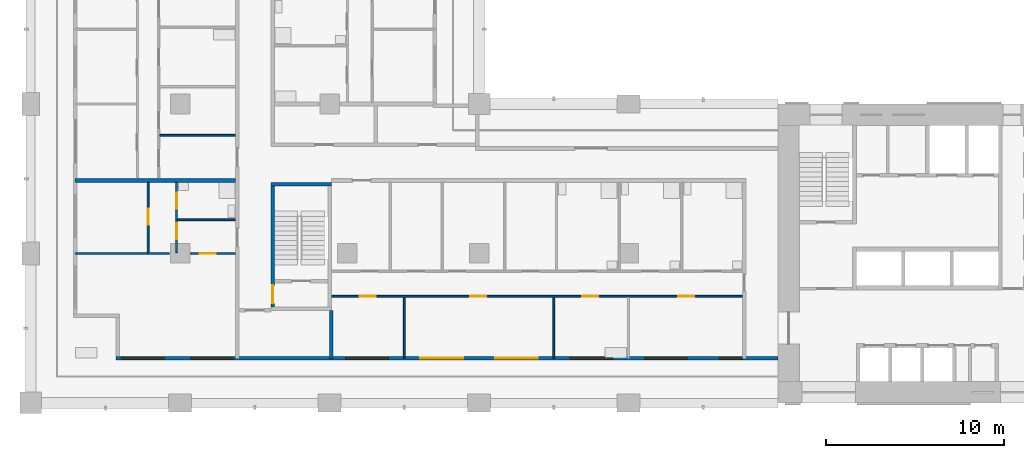
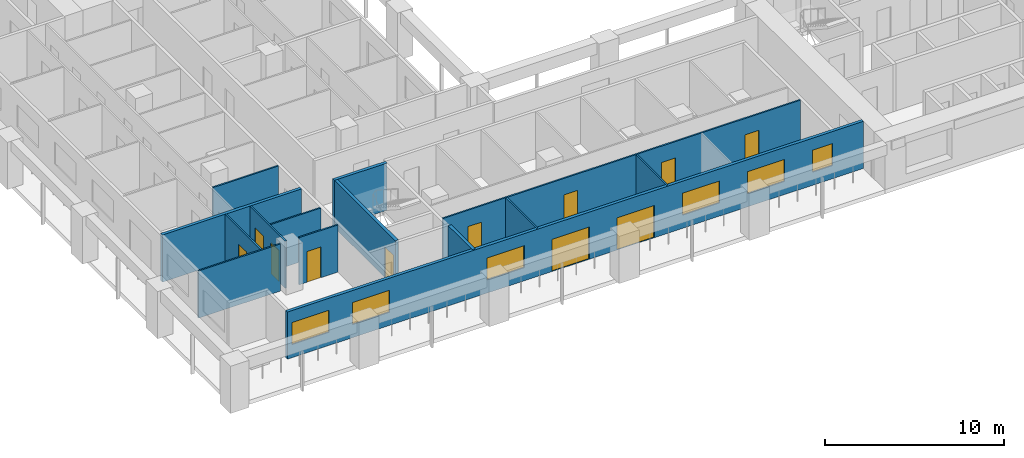
# One storey, part 2 of 17: 14 walls, 11 doors, 6 windows, 17 openings.
"""IFC4 building model written with IfcOpenShell, lengths in metres."""

from ifc_helpers import new_model, si_unit, direction, frame, frame_2d, origin, place, context, subcontext, project, spatial, rectangle, extrude, material, layer, layer_set, type_object, element, fill, save


model = new_model("IFC4")

# Units and contexts
model_context = context("Model", 3, precision=1e-05, world=origin(), true_north=direction((0.0, 1.0)))
body_context = subcontext(model_context, "Body", "Model", "MODEL_VIEW")
ifc_project = project(units=[si_unit("LENGTHUNIT", "METRE"), si_unit("AREAUNIT", "SQUARE_METRE"), si_unit("VOLUMEUNIT", "CUBIC_METRE"), si_unit("PLANEANGLEUNIT", "RADIAN"), si_unit("MASSUNIT", "GRAM", prefix="KILO")], contexts=[model_context])

# Site, building, storey
site_placement = place(None, origin())
site = spatial("IfcSite", under=ifc_project, at=site_placement, CompositionType="ELEMENT")
building_placement = place(site_placement, origin())
building = spatial("IfcBuilding", under=site, at=building_placement, Name="Vermilion Gate Residences", CompositionType="ELEMENT")
storey_placement = place(building_placement, frame((0.0, 0.0, 91.699951171875)))
storey = spatial("IfcBuildingStorey", under=building, at=storey_placement, Name="L22", CompositionType="ELEMENT", Elevation=91.699951171875)

# Wall, openings, doors, windows
ifc_material_1 = material(Name="Insulated steel stud wall with terracotta rainscreen", Category="masonry")
ifc_layer_1 = layer(ifc_material_1, 0.199951171875)
ifc_layer_set_1 = layer_set([ifc_layer_1], Name="EXTERNAL WALL 200 TERRACOTTA RAINSCREEN")
wall_type_1 = type_object("IfcWallType", Name="EXTERNAL WALL 200 TERRACOTTA RAINSCREEN", PredefinedType="SOLIDWALL", material=ifc_layer_set_1)
wall_1_placement = place(storey_placement, frame((4.800048828125, 10.89990234375, 0.0), z_axis=(0.0, 0.0, 1.0), x_axis=(1.0, 0.0, 0.0)))
wall_1 = element("IfcWall", 1, at=wall_1_placement, inside=storey, type_object=wall_type_1, Name="External wall", PredefinedType="SOLIDWALL", context=body_context, shape_type="SweptSolid", body=[
    extrude(rectangle(XDim=37.199951171875, YDim=0.199951171875, at=frame_2d((18.60009765625, 0.0))), origin(), (0.0, 0.0, 1.0), 3.219970703125),
])
opening_1_placement = place(wall_1_placement, frame((0.300048828125, 0.0, 0.89990234375)))
opening_1 = element("IfcOpeningElement", 2, at=opening_1_placement, cuts=wall_1, Name="Opening WE22012", PredefinedType="OPENING", context=body_context, shape_type="SweptSolid", body=[
    extrude(rectangle(XDim=2.39990234375, YDim=1.5, at=frame_2d((1.199951171875, 0.75))), frame((0.0, 0.10986328125, 0.0), z_axis=(0.0, -1.0, 0.0), x_axis=(1.0, 0.0, 0.0)), (0.0, 0.0, 1.0), 0.219970703125),
])
opening_2_placement = place(wall_1_placement, frame((4.199951171875, 0.0, 0.89990234375)))
opening_2 = element("IfcOpeningElement", 3, at=opening_2_placement, cuts=wall_1, Name="Opening WE22013", PredefinedType="OPENING", context=body_context, shape_type="SweptSolid", body=[
    extrude(rectangle(XDim=2.39990234375, YDim=1.5, at=frame_2d((1.199951171875, 0.75))), frame((0.0, 0.10986328125, 0.0), z_axis=(0.0, -1.0, 0.0), x_axis=(1.0, 0.0, 0.0)), (0.0, 0.0, 1.0), 0.219970703125),
])
opening_3_placement = place(wall_1_placement, frame((12.89990234375, 0.0, 0.89990234375)))
opening_3 = element("IfcOpeningElement", 4, at=opening_3_placement, cuts=wall_1, Name="Opening WE22014", PredefinedType="OPENING", context=body_context, shape_type="SweptSolid", body=[
    extrude(rectangle(XDim=2.39990234375, YDim=1.5, at=frame_2d((1.199951171875, 0.75))), frame((0.0, 0.10986328125, 0.0), z_axis=(0.0, -1.0, 0.0), x_axis=(1.0, 0.0, 0.0)), (0.0, 0.0, 1.0), 0.219970703125),
])
opening_4_placement = place(wall_1_placement, frame((17.10009765625, 0.0, 0.0)))
opening_4 = element("IfcOpeningElement", 5, at=opening_4_placement, cuts=wall_1, Name="Opening DE22015", PredefinedType="OPENING", context=body_context, shape_type="SweptSolid", body=[
    extrude(rectangle(XDim=2.39990234375, YDim=2.199951171875, at=frame_2d((1.199951171875, 1.10009765625))), frame((0.0, 0.10986328125, 0.0), z_axis=(0.0, -1.0, 0.0), x_axis=(1.0, 0.0, 0.0)), (0.0, 0.0, 1.0), 0.219970703125),
])
opening_5_placement = place(wall_1_placement, frame((21.300048828125, 0.0, 0.0)))
opening_5 = element("IfcOpeningElement", 6, at=opening_5_placement, cuts=wall_1, Name="Opening DE22016", PredefinedType="OPENING", context=body_context, shape_type="SweptSolid", body=[
    extrude(rectangle(XDim=2.39990234375, YDim=2.199951171875, at=frame_2d((1.199951171875, 1.10009765625))), frame((0.0, 0.10986328125, 0.0), z_axis=(0.0, -1.0, 0.0), x_axis=(1.0, 0.0, 0.0)), (0.0, 0.0, 1.0), 0.219970703125),
])
opening_6_placement = place(wall_1_placement, frame((25.5, 0.0, 0.89990234375)))
opening_6 = element("IfcOpeningElement", 7, at=opening_6_placement, cuts=wall_1, Name="Opening WE22017", PredefinedType="OPENING", context=body_context, shape_type="SweptSolid", body=[
    extrude(rectangle(XDim=2.39990234375, YDim=1.5, at=frame_2d((1.199951171875, 0.75))), frame((0.0, 0.10986328125, 0.0), z_axis=(0.0, -1.0, 0.0), x_axis=(1.0, 0.0, 0.0)), (0.0, 0.0, 1.0), 0.219970703125),
])
opening_7_placement = place(wall_1_placement, frame((29.699951171875, 0.0, 0.89990234375)))
opening_7 = element("IfcOpeningElement", 8, at=opening_7_placement, cuts=wall_1, Name="Opening WE22018", PredefinedType="OPENING", context=body_context, shape_type="SweptSolid", body=[
    extrude(rectangle(XDim=2.39990234375, YDim=1.5, at=frame_2d((1.199951171875, 0.75))), frame((0.0, 0.10986328125, 0.0), z_axis=(0.0, -1.0, 0.0), x_axis=(1.0, 0.0, 0.0)), (0.0, 0.0, 1.0), 0.219970703125),
])
opening_8_placement = place(wall_1_placement, frame((33.89990234375, 0.0, 0.89990234375)))
opening_8 = element("IfcOpeningElement", 9, at=opening_8_placement, cuts=wall_1, Name="Opening WE22019", PredefinedType="OPENING", context=body_context, shape_type="SweptSolid", body=[
    extrude(rectangle(XDim=1.300048828125, YDim=1.5, at=frame_2d((0.64990234375, 0.75))), frame((0.0, 0.10986328125, 0.0), z_axis=(0.0, -1.0, 0.0), x_axis=(1.0, 0.0, 0.0)), (0.0, 0.0, 1.0), 0.219970703125),
])
ifc_material_2 = material(Name="Aluminium and clear glass", Category="aluminium")
door_type_1 = type_object("IfcDoorType", Name="SLIDING GLAZED DOOR 2400 X 2200", OperationType="DOUBLE_DOOR_SLIDING", PredefinedType="DOOR", material=ifc_material_2)
door_1_placement = place(opening_4_placement, origin())
door_1 = element("IfcDoor", 10, at=door_1_placement, inside=storey, type_object=door_type_1, Name="Loggia sliding door", OperationType="DOUBLE_DOOR_SLIDING", OverallHeight=2.199951171875, OverallWidth=2.39990234375, PredefinedType="DOOR", context=body_context, shape_type="SweptSolid", body=[
    extrude(rectangle(XDim=2.39990234375, YDim=2.199951171875, at=frame_2d((1.199951171875, 1.10009765625))), frame((0.0, 0.02490234375, 0.0), z_axis=(0.0, -1.0, 0.0), x_axis=(1.0, 0.0, 0.0)), (0.0, 0.0, 1.0), 0.050048828125),
])
fill(opening_4, door_1)
door_2_placement = place(opening_5_placement, origin())
door_2 = element("IfcDoor", 11, at=door_2_placement, inside=storey, type_object=door_type_1, Name="Loggia sliding door", OperationType="DOUBLE_DOOR_SLIDING", OverallHeight=2.199951171875, OverallWidth=2.39990234375, PredefinedType="DOOR", context=body_context, shape_type="SweptSolid", body=[
    extrude(rectangle(XDim=2.39990234375, YDim=2.199951171875, at=frame_2d((1.199951171875, 1.10009765625))), frame((0.0, 0.02490234375, 0.0), z_axis=(0.0, -1.0, 0.0), x_axis=(1.0, 0.0, 0.0)), (0.0, 0.0, 1.0), 0.050048828125),
])
fill(opening_5, door_2)
ifc_material_3 = material(Name="Aluminium and clear glass", Category="aluminium")
window_type_1 = type_object("IfcWindowType", Name="WINDOW 1300 X 1500", PartitioningType="SINGLE_PANEL", PredefinedType="WINDOW", material=ifc_material_3)
window_1_placement = place(opening_8_placement, origin())
window_1 = element("IfcWindow", 12, at=window_1_placement, inside=storey, type_object=window_type_1, Name="Window", OverallHeight=1.5, OverallWidth=1.300048828125, PartitioningType="SINGLE_PANEL", PredefinedType="WINDOW", context=body_context, shape_type="SweptSolid", body=[
    extrude(rectangle(XDim=1.300048828125, YDim=1.5, at=frame_2d((0.64990234375, 0.75))), frame((0.0, 0.030029296875, 0.0), z_axis=(0.0, -1.0, 0.0), x_axis=(1.0, 0.0, 0.0)), (0.0, 0.0, 1.0), 0.06005859375),
])
fill(opening_8, window_1)
ifc_material_4 = material(Name="Aluminium and clear glass", Category="aluminium")
window_type_2 = type_object("IfcWindowType", Name="WINDOW 2400 X 1500", PartitioningType="SINGLE_PANEL", PredefinedType="WINDOW", material=ifc_material_4)
window_2_placement = place(opening_1_placement, origin())
window_2 = element("IfcWindow", 13, at=window_2_placement, inside=storey, type_object=window_type_2, Name="Window", OverallHeight=1.5, OverallWidth=2.39990234375, PartitioningType="SINGLE_PANEL", PredefinedType="WINDOW", context=body_context, shape_type="SweptSolid", body=[
    extrude(rectangle(XDim=2.39990234375, YDim=1.5, at=frame_2d((1.199951171875, 0.75))), frame((0.0, 0.030029296875, 0.0), z_axis=(0.0, -1.0, 0.0), x_axis=(1.0, 0.0, 0.0)), (0.0, 0.0, 1.0), 0.06005859375),
])
fill(opening_1, window_2)
window_3_placement = place(opening_2_placement, origin())
window_3 = element("IfcWindow", 14, at=window_3_placement, inside=storey, type_object=window_type_2, Name="Window", OverallHeight=1.5, OverallWidth=2.39990234375, PartitioningType="SINGLE_PANEL", PredefinedType="WINDOW", context=body_context, shape_type="SweptSolid", body=[
    extrude(rectangle(XDim=2.39990234375, YDim=1.5, at=frame_2d((1.199951171875, 0.75))), frame((0.0, 0.030029296875, 0.0), z_axis=(0.0, -1.0, 0.0), x_axis=(1.0, 0.0, 0.0)), (0.0, 0.0, 1.0), 0.06005859375),
])
fill(opening_2, window_3)
window_4_placement = place(opening_3_placement, origin())
window_4 = element("IfcWindow", 15, at=window_4_placement, inside=storey, type_object=window_type_2, Name="Window", OverallHeight=1.5, OverallWidth=2.39990234375, PartitioningType="SINGLE_PANEL", PredefinedType="WINDOW", context=body_context, shape_type="SweptSolid", body=[
    extrude(rectangle(XDim=2.39990234375, YDim=1.5, at=frame_2d((1.199951171875, 0.75))), frame((0.0, 0.030029296875, 0.0), z_axis=(0.0, -1.0, 0.0), x_axis=(1.0, 0.0, 0.0)), (0.0, 0.0, 1.0), 0.06005859375),
])
fill(opening_3, window_4)
window_5_placement = place(opening_6_placement, origin())
window_5 = element("IfcWindow", 16, at=window_5_placement, inside=storey, type_object=window_type_2, Name="Window", OverallHeight=1.5, OverallWidth=2.39990234375, PartitioningType="SINGLE_PANEL", PredefinedType="WINDOW", context=body_context, shape_type="SweptSolid", body=[
    extrude(rectangle(XDim=2.39990234375, YDim=1.5, at=frame_2d((1.199951171875, 0.75))), frame((0.0, 0.030029296875, 0.0), z_axis=(0.0, -1.0, 0.0), x_axis=(1.0, 0.0, 0.0)), (0.0, 0.0, 1.0), 0.06005859375),
])
fill(opening_6, window_5)
window_6_placement = place(opening_7_placement, origin())
window_6 = element("IfcWindow", 17, at=window_6_placement, inside=storey, type_object=window_type_2, Name="Window", OverallHeight=1.5, OverallWidth=2.39990234375, PartitioningType="SINGLE_PANEL", PredefinedType="WINDOW", context=body_context, shape_type="SweptSolid", body=[
    extrude(rectangle(XDim=2.39990234375, YDim=1.5, at=frame_2d((1.199951171875, 0.75))), frame((0.0, 0.030029296875, 0.0), z_axis=(0.0, -1.0, 0.0), x_axis=(1.0, 0.0, 0.0)), (0.0, 0.0, 1.0), 0.06005859375),
])
fill(opening_7, window_6)

# Wall, openings, doors
ifc_material_5 = material(Name="Plasterboard on steel studs", Category="steel")
ifc_layer_2 = layer(ifc_material_5, 0.10009765625)
ifc_layer_set_2 = layer_set([ifc_layer_2], Name="PARTITION 100")
wall_type_2 = type_object("IfcWallType", Name="PARTITION 100", PredefinedType="PARTITIONING", material=ifc_layer_set_2)
wall_2_placement = place(storey_placement, frame((16.89990234375, 14.39990234375, 0.0), z_axis=(0.0, 0.0, 1.0), x_axis=(1.0, 0.0, 0.0)))
wall_2 = element("IfcWall", 18, at=wall_2_placement, inside=storey, type_object=wall_type_2, Name="Partition", PredefinedType="PARTITIONING", context=body_context, shape_type="SweptSolid", body=[
    extrude(rectangle(XDim=23.10009765625, YDim=0.10009765625, at=frame_2d((11.550048828125, 0.0))), origin(), (0.0, 0.0, 1.0), 3.219970703125),
])
opening_9_placement = place(wall_2_placement, frame((1.60009765625, 0.0, 0.0)))
opening_9 = element("IfcOpeningElement", 19, at=opening_9_placement, cuts=wall_2, Name="Opening DA22002", PredefinedType="OPENING", context=body_context, shape_type="SweptSolid", body=[
    extrude(rectangle(XDim=0.89990234375, YDim=2.10009765625, at=frame_2d((0.449951171875, 1.050048828125))), frame((0.0, 0.06005859375, 0.0), z_axis=(0.0, -1.0, 0.0), x_axis=(1.0, 0.0, 0.0)), (0.0, 0.0, 1.0), 0.1201171875),
])
opening_10_placement = place(wall_2_placement, frame((7.800048828125, 0.0, 0.0)))
opening_10 = element("IfcOpeningElement", 20, at=opening_10_placement, cuts=wall_2, Name="Opening DA22003", PredefinedType="OPENING", context=body_context, shape_type="SweptSolid", body=[
    extrude(rectangle(XDim=0.89990234375, YDim=2.10009765625, at=frame_2d((0.449951171875, 1.050048828125))), frame((0.0, 0.06005859375, 0.0), z_axis=(0.0, -1.0, 0.0), x_axis=(1.0, 0.0, 0.0)), (0.0, 0.0, 1.0), 0.1201171875),
])
opening_11_placement = place(wall_2_placement, frame((14.10009765625, 0.0, 0.0)))
opening_11 = element("IfcOpeningElement", 21, at=opening_11_placement, cuts=wall_2, Name="Opening DA22004", PredefinedType="OPENING", context=body_context, shape_type="SweptSolid", body=[
    extrude(rectangle(XDim=0.89990234375, YDim=2.10009765625, at=frame_2d((0.449951171875, 1.050048828125))), frame((0.0, 0.06005859375, 0.0), z_axis=(0.0, -1.0, 0.0), x_axis=(1.0, 0.0, 0.0)), (0.0, 0.0, 1.0), 0.1201171875),
])
opening_12_placement = place(wall_2_placement, frame((19.5, 0.0, 0.0)))
opening_12 = element("IfcOpeningElement", 22, at=opening_12_placement, cuts=wall_2, Name="Opening DA22005", PredefinedType="OPENING", context=body_context, shape_type="SweptSolid", body=[
    extrude(rectangle(XDim=0.89990234375, YDim=2.10009765625, at=frame_2d((0.449951171875, 1.050048828125))), frame((0.0, 0.06005859375, 0.0), z_axis=(0.0, -1.0, 0.0), x_axis=(1.0, 0.0, 0.0)), (0.0, 0.0, 1.0), 0.1201171875),
])
ifc_material_6 = material(Name="Timber", Category="wood")
door_type_2 = type_object("IfcDoorType", Name="INTERIOR DOOR 900 X 2100", OperationType="SINGLE_SWING_LEFT", PredefinedType="DOOR", material=ifc_material_6)
door_3_placement = place(opening_9_placement, frame((0.89990234375, 0.0, 0.0), z_axis=(0.0, 0.0, 1.0), x_axis=(-1.0, 0.0, 0.0)))
door_3 = element("IfcDoor", 23, at=door_3_placement, inside=storey, type_object=door_type_2, Name="Interior door", OperationType="SINGLE_SWING_LEFT", OverallHeight=2.10009765625, OverallWidth=0.89990234375, PredefinedType="DOOR", context=body_context, shape_type="SweptSolid", body=[
    extrude(rectangle(XDim=0.89990234375, YDim=2.10009765625, at=frame_2d((0.449951171875, 1.050048828125))), frame((0.0, 0.02490234375, 0.0), z_axis=(0.0, -1.0, 0.0), x_axis=(1.0, 0.0, 0.0)), (0.0, 0.0, 1.0), 0.050048828125),
])
fill(opening_9, door_3)
door_4_placement = place(opening_10_placement, frame((0.89990234375, 0.0, 0.0), z_axis=(0.0, 0.0, 1.0), x_axis=(-1.0, 0.0, 0.0)))
door_4 = element("IfcDoor", 24, at=door_4_placement, inside=storey, type_object=door_type_2, Name="Interior door", OperationType="SINGLE_SWING_RIGHT", OverallHeight=2.10009765625, OverallWidth=0.89990234375, PredefinedType="DOOR", context=body_context, shape_type="SweptSolid", body=[
    extrude(rectangle(XDim=0.89990234375, YDim=2.10009765625, at=frame_2d((0.449951171875, 1.050048828125))), frame((0.0, 0.02490234375, 0.0), z_axis=(0.0, -1.0, 0.0), x_axis=(1.0, 0.0, 0.0)), (0.0, 0.0, 1.0), 0.050048828125),
])
fill(opening_10, door_4)
door_5_placement = place(opening_11_placement, frame((0.89990234375, 0.0, 0.0), z_axis=(0.0, 0.0, 1.0), x_axis=(-1.0, 0.0, 0.0)))
door_5 = element("IfcDoor", 25, at=door_5_placement, inside=storey, type_object=door_type_2, Name="Interior door", OperationType="SINGLE_SWING_RIGHT", OverallHeight=2.10009765625, OverallWidth=0.89990234375, PredefinedType="DOOR", context=body_context, shape_type="SweptSolid", body=[
    extrude(rectangle(XDim=0.89990234375, YDim=2.10009765625, at=frame_2d((0.449951171875, 1.050048828125))), frame((0.0, 0.02490234375, 0.0), z_axis=(0.0, -1.0, 0.0), x_axis=(1.0, 0.0, 0.0)), (0.0, 0.0, 1.0), 0.050048828125),
])
fill(opening_11, door_5)
door_6_placement = place(opening_12_placement, frame((0.89990234375, 0.0, 0.0), z_axis=(0.0, 0.0, 1.0), x_axis=(-1.0, 0.0, 0.0)))
door_6 = element("IfcDoor", 26, at=door_6_placement, inside=storey, type_object=door_type_2, Name="Interior door", OperationType="SINGLE_SWING_LEFT", OverallHeight=2.10009765625, OverallWidth=0.89990234375, PredefinedType="DOOR", context=body_context, shape_type="SweptSolid", body=[
    extrude(rectangle(XDim=0.89990234375, YDim=2.10009765625, at=frame_2d((0.449951171875, 1.050048828125))), frame((0.0, 0.02490234375, 0.0), z_axis=(0.0, -1.0, 0.0), x_axis=(1.0, 0.0, 0.0)), (0.0, 0.0, 1.0), 0.050048828125),
])
fill(opening_12, door_6)

# Wall
wall_3_placement = place(storey_placement, frame((2.5, 16.800048828125, 0.0), z_axis=(0.0, 0.0, 1.0), x_axis=(1.0, 0.0, 0.0)))
element("IfcWall", 27, at=wall_3_placement, inside=storey, type_object=wall_type_2, Name="Partition", PredefinedType="PARTITIONING", context=body_context, shape_type="SweptSolid", body=[
    extrude(rectangle(XDim=5.300048828125, YDim=0.10009765625, at=frame_2d((2.64990234375, 0.0))), origin(), (0.0, 0.0, 1.0), 3.219970703125),
])

# Wall, opening, door
wall_4_placement = place(storey_placement, frame((9.0, 16.800048828125, 0.0), z_axis=(0.0, 0.0, 1.0), x_axis=(1.0, 0.0, 0.0)))
wall_4 = element("IfcWall", 28, at=wall_4_placement, inside=storey, type_object=wall_type_2, Name="Partition", PredefinedType="PARTITIONING", context=body_context, shape_type="SweptSolid", body=[
    extrude(rectangle(XDim=2.5, YDim=0.10009765625, at=frame_2d((1.25, 0.0))), origin(), (0.0, 0.0, 1.0), 3.219970703125),
])
opening_13_placement = place(wall_4_placement, frame((0.5, 0.0, 0.0)))
opening_13 = element("IfcOpeningElement", 29, at=opening_13_placement, cuts=wall_4, Name="Opening DA22013", PredefinedType="OPENING", context=body_context, shape_type="SweptSolid", body=[
    extrude(rectangle(XDim=0.89990234375, YDim=2.10009765625, at=frame_2d((0.449951171875, 1.050048828125))), frame((0.0, 0.06005859375, 0.0), z_axis=(0.0, -1.0, 0.0), x_axis=(1.0, 0.0, 0.0)), (0.0, 0.0, 1.0), 0.1201171875),
])
door_7_placement = place(opening_13_placement, frame((0.89990234375, 0.0, 0.0), z_axis=(0.0, 0.0, 1.0), x_axis=(-1.0, 0.0, 0.0)))
door_7 = element("IfcDoor", 30, at=door_7_placement, inside=storey, type_object=door_type_2, Name="Interior door", OperationType="SINGLE_SWING_RIGHT", OverallHeight=2.10009765625, OverallWidth=0.89990234375, PredefinedType="DOOR", context=body_context, shape_type="SweptSolid", body=[
    extrude(rectangle(XDim=0.89990234375, YDim=2.10009765625, at=frame_2d((0.449951171875, 1.050048828125))), frame((0.0, 0.02490234375, 0.0), z_axis=(0.0, -1.0, 0.0), x_axis=(1.0, 0.0, 0.0)), (0.0, 0.0, 1.0), 0.050048828125),
])
fill(opening_13, door_7)

# Walls
wall_5_placement = place(storey_placement, frame((8.25, 18.699951171875, 0.0), z_axis=(0.0, 0.0, 1.0), x_axis=(1.0, 0.0, 0.0)))
element("IfcWall", 31, at=wall_5_placement, inside=storey, type_object=wall_type_2, Name="Partition", PredefinedType="PARTITIONING", context=body_context, shape_type="SweptSolid", body=[
    extrude(rectangle(XDim=3.25, YDim=0.10009765625, at=frame_2d((1.625, 0.0))), origin(), (0.0, 0.0, 1.0), 3.219970703125),
])
wall_6_placement = place(storey_placement, frame((7.25, 23.43798828125, 0.0), z_axis=(0.0, 0.0, 1.0), x_axis=(1.0, 0.0, 0.0)))
element("IfcWall", 32, at=wall_6_placement, inside=storey, type_object=wall_type_2, Name="Partition", PredefinedType="PARTITIONING", context=body_context, shape_type="SweptSolid", body=[
    extrude(rectangle(XDim=4.25, YDim=0.10009765625, at=frame_2d((2.125, 0.0))), origin(), (0.0, 0.0, 1.0), 3.219970703125),
])

# Wall, opening, door
wall_7_placement = place(storey_placement, frame((6.60009765625, 16.85009765625, 0.0), z_axis=(0.0, 0.0, 1.0), x_axis=(0.0, 1.0, 0.0)))
wall_7 = element("IfcWall", 33, at=wall_7_placement, inside=storey, type_object=wall_type_2, Name="Partition", PredefinedType="PARTITIONING", context=body_context, shape_type="SweptSolid", body=[
    extrude(rectangle(XDim=3.949951171875, YDim=0.10009765625, at=frame_2d((1.97509765625, 0.0))), origin(), (0.0, 0.0, 1.0), 3.219970703125),
])
opening_14_placement = place(wall_7_placement, frame((1.550048828125, 0.0, 0.0)))
opening_14 = element("IfcOpeningElement", 34, at=opening_14_placement, cuts=wall_7, Name="Opening DA22025", PredefinedType="OPENING", context=body_context, shape_type="SweptSolid", body=[
    extrude(rectangle(XDim=0.89990234375, YDim=2.10009765625, at=frame_2d((0.449951171875, 1.050048828125))), frame((0.0, 0.06005859375, 0.0), z_axis=(0.0, -1.0, 0.0), x_axis=(1.0, 0.0, 0.0)), (0.0, 0.0, 1.0), 0.1201171875),
])
door_8_placement = place(opening_14_placement, origin())
door_8 = element("IfcDoor", 35, at=door_8_placement, inside=storey, type_object=door_type_2, Name="Interior door", OperationType="SINGLE_SWING_RIGHT", OverallHeight=2.10009765625, OverallWidth=0.89990234375, PredefinedType="DOOR", context=body_context, shape_type="SweptSolid", body=[
    extrude(rectangle(XDim=0.89990234375, YDim=2.10009765625, at=frame_2d((0.449951171875, 1.050048828125))), frame((0.0, 0.02490234375, 0.0), z_axis=(0.0, -1.0, 0.0), x_axis=(1.0, 0.0, 0.0)), (0.0, 0.0, 1.0), 0.050048828125),
])
fill(opening_14, door_8)

# Wall, openings, doors
wall_8_placement = place(storey_placement, frame((8.199951171875, 16.85009765625, 0.0), z_axis=(0.0, 0.0, 1.0), x_axis=(0.0, 1.0, 0.0)))
wall_8 = element("IfcWall", 36, at=wall_8_placement, inside=storey, type_object=wall_type_2, Name="Partition", PredefinedType="PARTITIONING", context=body_context, shape_type="SweptSolid", body=[
    extrude(rectangle(XDim=3.949951171875, YDim=0.10009765625, at=frame_2d((1.97509765625, 0.0))), origin(), (0.0, 0.0, 1.0), 3.219970703125),
])
opening_15_placement = place(wall_8_placement, frame((0.75, 0.0, 0.0)))
opening_15 = element("IfcOpeningElement", 37, at=opening_15_placement, cuts=wall_8, Name="Opening DA22034", PredefinedType="OPENING", context=body_context, shape_type="SweptSolid", body=[
    extrude(rectangle(XDim=0.89990234375, YDim=2.10009765625, at=frame_2d((0.449951171875, 1.050048828125))), frame((0.0, 0.06005859375, 0.0), z_axis=(0.0, -1.0, 0.0), x_axis=(1.0, 0.0, 0.0)), (0.0, 0.0, 1.0), 0.1201171875),
])
opening_16_placement = place(wall_8_placement, frame((2.449951171875, 0.0, 0.0)))
opening_16 = element("IfcOpeningElement", 38, at=opening_16_placement, cuts=wall_8, Name="Opening DA22035", PredefinedType="OPENING", context=body_context, shape_type="SweptSolid", body=[
    extrude(rectangle(XDim=0.89990234375, YDim=2.10009765625, at=frame_2d((0.449951171875, 1.050048828125))), frame((0.0, 0.06005859375, 0.0), z_axis=(0.0, -1.0, 0.0), x_axis=(1.0, 0.0, 0.0)), (0.0, 0.0, 1.0), 0.1201171875),
])
door_9_placement = place(opening_15_placement, frame((0.89990234375, 0.0, 0.0), z_axis=(0.0, 0.0, 1.0), x_axis=(-1.0, 0.0, 0.0)))
door_9 = element("IfcDoor", 39, at=door_9_placement, inside=storey, type_object=door_type_2, Name="Interior door", OperationType="SINGLE_SWING_LEFT", OverallHeight=2.10009765625, OverallWidth=0.89990234375, PredefinedType="DOOR", context=body_context, shape_type="SweptSolid", body=[
    extrude(rectangle(XDim=0.89990234375, YDim=2.10009765625, at=frame_2d((0.449951171875, 1.050048828125))), frame((0.0, 0.02490234375, 0.0), z_axis=(0.0, -1.0, 0.0), x_axis=(1.0, 0.0, 0.0)), (0.0, 0.0, 1.0), 0.050048828125),
])
fill(opening_15, door_9)
door_10_placement = place(opening_16_placement, frame((0.89990234375, 0.0, 0.0), z_axis=(0.0, 0.0, 1.0), x_axis=(-1.0, 0.0, 0.0)))
door_10 = element("IfcDoor", 40, at=door_10_placement, inside=storey, type_object=door_type_2, Name="Interior door", OperationType="SINGLE_SWING_LEFT", OverallHeight=2.10009765625, OverallWidth=0.89990234375, PredefinedType="DOOR", context=body_context, shape_type="SweptSolid", body=[
    extrude(rectangle(XDim=0.89990234375, YDim=2.10009765625, at=frame_2d((0.449951171875, 1.050048828125))), frame((0.0, 0.02490234375, 0.0), z_axis=(0.0, -1.0, 0.0), x_axis=(1.0, 0.0, 0.0)), (0.0, 0.0, 1.0), 0.050048828125),
])
fill(opening_16, door_10)

# Walls
for number, where, z_axis, x_axis, name in (
    (41, (21.0, 10.89990234375, 0.0), (0.0, 0.0, 1.0), (0.0, 1.0, 0.0), "Partition"),
    (42, (29.39990234375, 10.89990234375, 0.0), (0.0, 0.0, 1.0), (0.0, 1.0, 0.0), "Partition"),
):
    element("IfcWall", number, at=place(storey_placement, frame(where, z_axis=z_axis, x_axis=x_axis)), inside=storey, type_object=wall_type_2, Name=name, PredefinedType="PARTITIONING", context=body_context, shape_type="SweptSolid", body=[
        extrude(rectangle(XDim=3.4501953125, YDim=0.10009765625, at=frame_2d((1.72509765625, 0.0))), origin(), (0.0, 0.0, 1.0), 3.219970703125),
    ])
ifc_material_7 = material(Name="Fire-rated plasterboard on steel studs", Category="steel")
ifc_layer_3 = layer(ifc_material_7, 0.199951171875)
ifc_layer_set_3 = layer_set([ifc_layer_3], Name="PARTY WALL 200 EI 120")
wall_type_3 = type_object("IfcWallType", Name="PARTY WALL 200 EI 120", PredefinedType="PARTITIONING", material=ifc_layer_set_3)
wall_9_placement = place(storey_placement, frame((2.5, 20.89990234375, 0.0), z_axis=(0.0, 0.0, 1.0), x_axis=(1.0, 0.0, 0.0)))
element("IfcWall", 43, at=wall_9_placement, inside=storey, type_object=wall_type_3, Name="Party and corridor wall", PredefinedType="PARTITIONING", context=body_context, shape_type="SweptSolid", body=[
    extrude(rectangle(XDim=9.0, YDim=0.199951171875, at=frame_2d((4.5, 0.0))), origin(), (0.0, 0.0, 1.0), 3.219970703125),
])
wall_10_placement = place(storey_placement, frame((16.89990234375, 10.89990234375, 0.0), z_axis=(0.0, 0.0, 1.0), x_axis=(0.0, 1.0, 0.0)))
element("IfcWall", 44, at=wall_10_placement, inside=storey, type_object=wall_type_3, Name="Party and corridor wall", PredefinedType="PARTITIONING", context=body_context, shape_type="SweptSolid", body=[
    extrude(rectangle(XDim=2.7001953125, YDim=0.199951171875, at=frame_2d((1.35009765625, 0.0))), origin(), (0.0, 0.0, 1.0), 3.219970703125),
])

# Wall, opening, door
ifc_material_8 = material(Name="Concrete C60", Category="concrete")
ifc_layer_4 = layer(ifc_material_8, 0.199951171875)
ifc_layer_set_4 = layer_set([ifc_layer_4], Name="RC CORE INTERNAL WALL 200 C60")
wall_type_4 = type_object("IfcWallType", Name="RC CORE INTERNAL WALL 200 C60", PredefinedType="SHEAR", material=ifc_layer_set_4)
wall_11_placement = place(storey_placement, frame((13.60009765625, 13.800048828125, 0.0), z_axis=(0.0, 0.0, 1.0), x_axis=(0.0, 1.0, 0.0)))
wall_11 = element("IfcWall", 45, at=wall_11_placement, inside=storey, type_object=wall_type_4, Name="Core internal wall C22-W", PredefinedType="SHEAR", context=body_context, shape_type="SweptSolid", body=[
    extrude(rectangle(XDim=6.800048828125, YDim=0.199951171875, at=frame_2d((3.39990234375, 0.0))), origin(), (0.0, 0.0, 1.0), 3.219970703125),
])
opening_17_placement = place(wall_11_placement, frame((0.199951171875, 0.0, 0.0)))
opening_17 = element("IfcOpeningElement", 46, at=opening_17_placement, cuts=wall_11, Name="Opening DK22201", PredefinedType="OPENING", context=body_context, shape_type="SweptSolid", body=[
    extrude(rectangle(XDim=1.0, YDim=2.10009765625, at=frame_2d((0.5, 1.050048828125))), frame((0.0, 0.10986328125, 0.0), z_axis=(0.0, -1.0, 0.0), x_axis=(1.0, 0.0, 0.0)), (0.0, 0.0, 1.0), 0.219970703125),
])
ifc_material_9 = material(Name="Steel", Category="steel")
door_type_3 = type_object("IfcDoorType", Name="FIRE DOOR FD60 1000 X 2100", OperationType="SINGLE_SWING_LEFT", PredefinedType="DOOR", material=ifc_material_9)
door_11_placement = place(opening_17_placement, frame((1.0, 0.0, 0.0), z_axis=(0.0, 0.0, 1.0), x_axis=(-1.0, 0.0, 0.0)))
door_11 = element("IfcDoor", 47, at=door_11_placement, inside=storey, type_object=door_type_3, Name="Stair vestibule door C22", OperationType="SINGLE_SWING_LEFT", OverallHeight=2.10009765625, OverallWidth=1.0, PredefinedType="DOOR", context=body_context, shape_type="SweptSolid", body=[
    extrude(rectangle(XDim=1.0, YDim=2.10009765625, at=frame_2d((0.5, 1.050048828125))), frame((0.0, 0.02490234375, 0.0), z_axis=(0.0, -1.0, 0.0), x_axis=(1.0, 0.0, 0.0)), (0.0, 0.0, 1.0), 0.050048828125),
])
fill(opening_17, door_11)

# Wall
wall_12_placement = place(storey_placement, frame((13.5, 20.699951171875, 0.0), z_axis=(0.0, 0.0, 1.0), x_axis=(1.0, 0.0, 0.0)))
element("IfcWall", 48, at=wall_12_placement, inside=storey, type_object=wall_type_4, Name="Core internal wall C22-N", PredefinedType="SHEAR", context=body_context, shape_type="SweptSolid", body=[
    extrude(rectangle(XDim=3.39990234375, YDim=0.199951171875, at=frame_2d((1.699951171875, 0.0))), origin(), (0.0, 0.0, 1.0), 3.219970703125),
])

save(model, "model.ifc")
